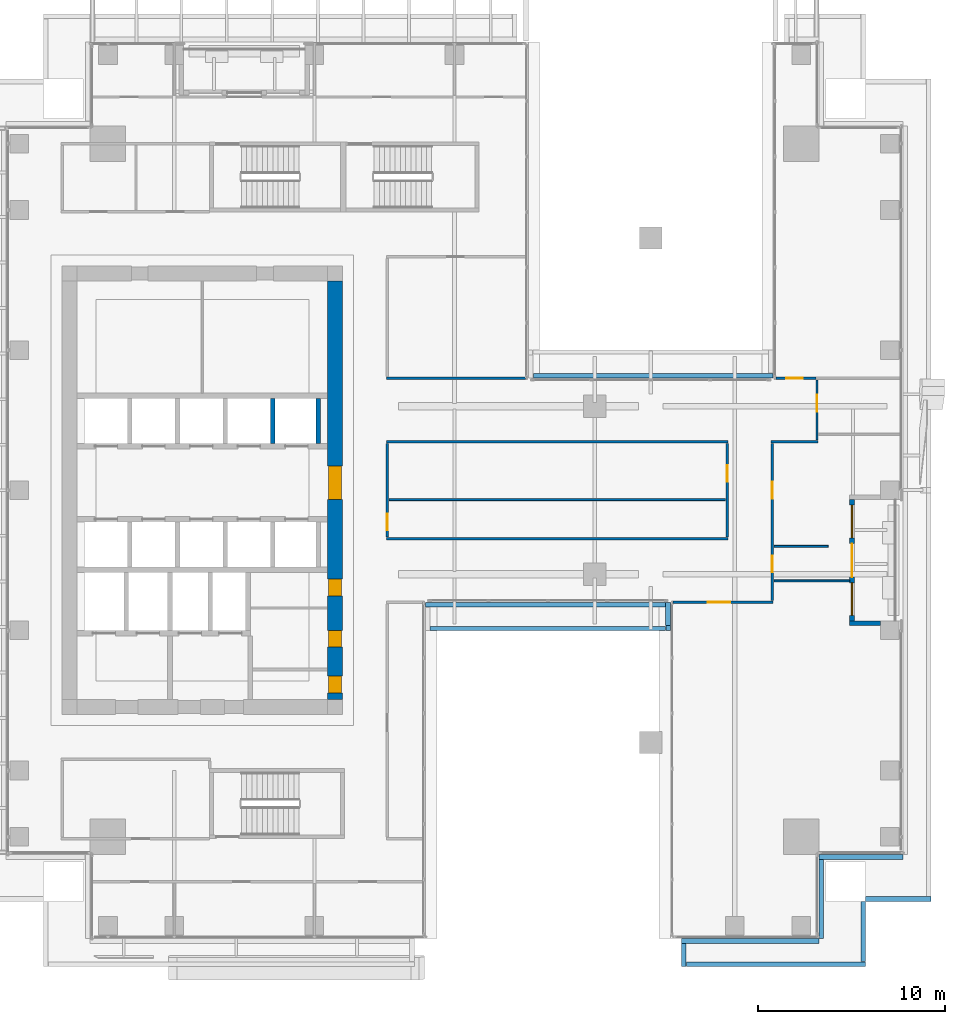
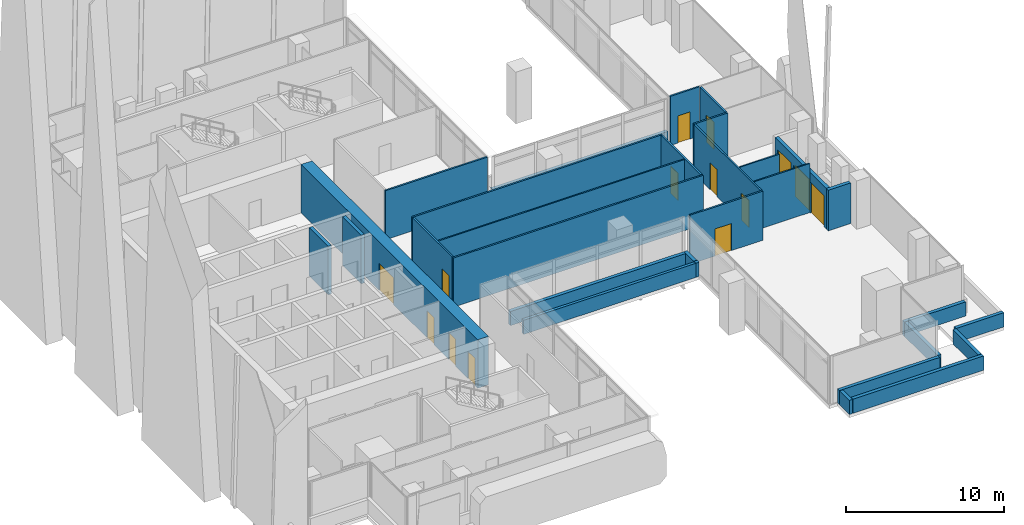
# One storey, part 35 of 43: 30 walls, 12 doors, 2 windows, 14 openings.
"""IFC4 building model written with IfcOpenShell, lengths in metres."""

from ifc_helpers import new_model, si_unit, direction, frame, frame_2d, origin, place, context, subcontext, project, spatial, rectangle, extrude, source, transform, mapped, material, layer, layer_set, type_object, element, fill, save


model = new_model("IFC4")

# Units and contexts
model_context = context("Model", 3, precision=1e-05, world=origin(), true_north=direction((0.0, 1.0)))
body_context = subcontext(model_context, "Body", "Model", "MODEL_VIEW")
ifc_project = project(units=[si_unit("LENGTHUNIT", "METRE"), si_unit("AREAUNIT", "SQUARE_METRE"), si_unit("VOLUMEUNIT", "CUBIC_METRE"), si_unit("PLANEANGLEUNIT", "RADIAN"), si_unit("MASSUNIT", "GRAM", prefix="KILO")], contexts=[model_context])

# Site, building, storey
site_placement = place(None, origin())
site = spatial("IfcSite", under=ifc_project, at=site_placement, CompositionType="ELEMENT")
building_placement = place(site_placement, origin())
building = spatial("IfcBuilding", under=site, at=building_placement, Name="Khomas Fold Tower", CompositionType="ELEMENT")
storey_placement = place(building_placement, frame((0.0, 0.0, 164.699951171875)))
storey = spatial("IfcBuildingStorey", under=building, at=storey_placement, Name="L35", CompositionType="ELEMENT", Elevation=164.699951171875)

# Wall, openings, doors
ifc_material_1 = material(Name="Concrete C60/75", Category="concrete")
ifc_layer_1 = layer(ifc_material_1, 0.800048828125)
ifc_layer_set_1 = layer_set([ifc_layer_1], Name="Concrete C60/75")
wall_type_1 = type_object("IfcWallType", Name="Core wall 800", PredefinedType="SHEAR", material=ifc_layer_set_1)
shared_shape_1 = source(origin(), body_context, "Body", "SweptSolid", [
    extrude(rectangle(XDim=22.39990234375, YDim=0.800048828125, at=frame_2d((11.199951171875, 0.0))), origin(), (0.0, 0.0, 1.0), 3.75),
])
wall_1_placement = place(storey_placement, frame((20.60009765625, 15.800048828125, 0.0), z_axis=(0.0, 0.0, 1.0), x_axis=(0.0, 1.0, 0.0)))
wall_1 = element("IfcWall", 1, at=wall_1_placement, inside=storey, type_object=wall_type_1, Name="Core wall CW-U-E-L35", PredefinedType="SHEAR", context=body_context, shape_type="MappedRepresentation", body=[
    mapped(shared_shape_1, transform((0.0, 0.0, 0.0))),
])
shared_shape_2 = source(origin(), body_context, "Body", "SweptSolid", [
    extrude(rectangle(XDim=1.800048828125, YDim=2.10009765625, at=frame_2d((0.89990234375, 1.050048828125))), frame((0.0, 0.409912109375, 0.0), z_axis=(0.0, -1.0, 0.0), x_axis=(1.0, 0.0, 0.0)), (0.0, 0.0, 1.0), 0.820068359375),
])
opening_1_placement = place(wall_1_placement, frame((10.699951171875, 0.0, 0.0)))
opening_1 = element("IfcOpeningElement", 2, at=opening_1_placement, cuts=wall_1, Name="Opening 0015", PredefinedType="OPENING", context=body_context, shape_type="MappedRepresentation", body=[
    mapped(shared_shape_2, transform((0.0, 0.0, 0.0))),
])
shared_shape_3 = source(origin(), body_context, "Body", "SweptSolid", [
    extrude(rectangle(XDim=0.89990234375, YDim=2.10009765625, at=frame_2d((0.449951171875, 1.050048828125))), frame((0.0, 0.409912109375, 0.0), z_axis=(0.0, -1.0, 0.0), x_axis=(1.0, 0.0, 0.0)), (0.0, 0.0, 1.0), 0.820068359375),
])
opening_2_placement = place(wall_1_placement, frame((0.35009765625, 0.0, 0.0)))
opening_2 = element("IfcOpeningElement", 3, at=opening_2_placement, cuts=wall_1, Name="Opening 0003", PredefinedType="OPENING", context=body_context, shape_type="MappedRepresentation", body=[
    mapped(shared_shape_3, transform((0.0, 0.0, 0.0))),
])
opening_3_placement = place(wall_1_placement, frame((2.800048828125, 0.0, 0.0)))
opening_3 = element("IfcOpeningElement", 4, at=opening_3_placement, cuts=wall_1, Name="Opening 0008", PredefinedType="OPENING", context=body_context, shape_type="MappedRepresentation", body=[
    mapped(shared_shape_3, transform((0.0, 0.0, 0.0))),
])
opening_4_placement = place(wall_1_placement, frame((5.550048828125, 0.0, 0.0)))
opening_4 = element("IfcOpeningElement", 5, at=opening_4_placement, cuts=wall_1, Name="Opening 0008", PredefinedType="OPENING", context=body_context, shape_type="MappedRepresentation", body=[
    mapped(shared_shape_3, transform((0.0, 0.0, 0.0))),
])
ifc_material_2 = material(Name="Steel door leaf", Category="steel")
door_type_1 = type_object("IfcDoorType", Name="Lobby door 1800x2100", OperationType="DOUBLE_DOOR_SINGLE_SWING", PredefinedType="DOOR", material=ifc_material_2)
shared_shape_4 = source(origin(), body_context, "Body", "SweptSolid", [
    extrude(rectangle(XDim=1.800048828125, YDim=2.10009765625, at=frame_2d((0.89990234375, 1.050048828125))), frame((0.0, 0.35009765625, 0.0), z_axis=(0.0, -1.0, 0.0), x_axis=(1.0, 0.0, 0.0)), (0.0, 0.0, 1.0), 0.699951171875),
])
door_1_placement = place(opening_1_placement, origin())
door_1 = element("IfcDoor", 6, at=door_1_placement, inside=storey, type_object=door_type_1, Name="Lobby door", OperationType="DOUBLE_DOOR_SINGLE_SWING", OverallHeight=2.10009765625, OverallWidth=1.800048828125, PredefinedType="DOOR", context=body_context, shape_type="MappedRepresentation", body=[
    mapped(shared_shape_4, transform((0.0, 0.0, 0.0))),
])
fill(opening_1, door_1)
ifc_material_3 = material(Name="Steel door leaf", Category="steel")
door_type_2 = type_object("IfcDoorType", Name="Plant room door 900x2100 right-hand", OperationType="SINGLE_SWING_RIGHT", PredefinedType="DOOR", material=ifc_material_3)
shared_shape_5 = source(origin(), body_context, "Body", "SweptSolid", [
    extrude(rectangle(XDim=0.89990234375, YDim=2.10009765625, at=frame_2d((0.449951171875, 1.050048828125))), frame((0.0, 0.35009765625, 0.0), z_axis=(0.0, -1.0, 0.0), x_axis=(1.0, 0.0, 0.0)), (0.0, 0.0, 1.0), 0.699951171875),
])
door_2_placement = place(opening_2_placement, origin())
door_2 = element("IfcDoor", 7, at=door_2_placement, inside=storey, type_object=door_type_2, Name="Plant room door", OperationType="SINGLE_SWING_RIGHT", OverallHeight=2.10009765625, OverallWidth=0.89990234375, PredefinedType="DOOR", context=body_context, shape_type="MappedRepresentation", body=[
    mapped(shared_shape_5, transform((0.0, 0.0, 0.0))),
])
fill(opening_2, door_2)
ifc_material_4 = material(Name="Timber door leaf", Category="wood")
door_type_3 = type_object("IfcDoorType", Name="Door 900x2100 right-hand", OperationType="SINGLE_SWING_RIGHT", PredefinedType="DOOR", material=ifc_material_4)
door_3_placement = place(opening_3_placement, origin())
door_3 = element("IfcDoor", 8, at=door_3_placement, inside=storey, type_object=door_type_3, Name="Door", OperationType="SINGLE_SWING_RIGHT", OverallHeight=2.10009765625, OverallWidth=0.89990234375, PredefinedType="DOOR", context=body_context, shape_type="MappedRepresentation", body=[
    mapped(shared_shape_5, transform((0.0, 0.0, 0.0))),
])
fill(opening_3, door_3)
door_4_placement = place(opening_4_placement, origin())
door_4 = element("IfcDoor", 9, at=door_4_placement, inside=storey, type_object=door_type_3, Name="Door", OperationType="SINGLE_SWING_RIGHT", OverallHeight=2.10009765625, OverallWidth=0.89990234375, PredefinedType="DOOR", context=body_context, shape_type="MappedRepresentation", body=[
    mapped(shared_shape_5, transform((0.0, 0.0, 0.0))),
])
fill(opening_4, door_4)

# Walls
ifc_material_5 = material(Name="Concrete C50/60", Category="concrete")
ifc_layer_2 = layer(ifc_material_5, 0.25)
ifc_layer_set_2 = layer_set([ifc_layer_2], Name="Concrete C50/60")
wall_type_2 = type_object("IfcWallType", Name="Shaft wall 250", PredefinedType="STANDARD", material=ifc_layer_set_2)
shared_shape_6 = source(origin(), body_context, "Body", "SweptSolid", [
    extrude(rectangle(XDim=2.39990234375, YDim=0.25, at=frame_2d((1.199951171875, 0.0))), origin(), (0.0, 0.0, 1.0), 3.75),
])
for number, where, z_axis, x_axis, name in (
    (10, (17.27490234375, 29.5, 0.0), (0.0, 0.0, 1.0), (0.0, 1.0, 0.0), "Core wall SW-HRN-MR-P1"),
    (11, (19.699951171875, 29.5, 0.0), (0.0, 0.0, 1.0), (0.0, 1.0, 0.0), "Core wall SW-HRN-MR-PE"),
):
    element("IfcWall", number, at=place(storey_placement, frame(where, z_axis=z_axis, x_axis=x_axis)), inside=storey, type_object=wall_type_2, Name=name, PredefinedType="STANDARD", context=body_context, shape_type="MappedRepresentation", body=[
        mapped(shared_shape_6, transform((0.0, 0.0, 0.0))),
    ])

# Wall, openings, door, windows
ifc_material_6 = material(Name="Natural stone", Category="masonry")
ifc_layer_3 = layer(ifc_material_6, 0.0400390625)
ifc_material_7 = material(Name="Mineral wool insulation", Category="insulation")
ifc_layer_4 = layer(ifc_material_7, 0.10009765625)
ifc_material_8 = material(Name="Masonry", Category="masonry")
ifc_layer_5 = layer(ifc_material_8, 0.110107421875)
ifc_layer_set_3 = layer_set([ifc_layer_3, ifc_layer_4, ifc_layer_5], Name="Stone-faced insulated masonry")
wall_type_3 = type_object("IfcWallType", Name="BL-Balcony wall", PredefinedType="SOLIDWALL", material=ifc_layer_set_3)
shared_shape_7 = source(origin(), body_context, "Body", "SweptSolid", [
    extrude(rectangle(XDim=6.5, YDim=0.25, at=frame_2d((3.25, 0.0))), origin(), (0.0, 0.0, 1.0), 3.150146484375),
])
wall_2_placement = place(storey_placement, frame((48.27490234375, 20.0, 0.0), z_axis=(0.0, 0.0, 1.0), x_axis=(0.0, 1.0, 0.0)))
wall_2 = element("IfcWall", 12, at=wall_2_placement, inside=storey, type_object=wall_type_3, Name="Balcony wall BAL-L35-E2", PredefinedType="SOLIDWALL", context=body_context, shape_type="MappedRepresentation", body=[
    mapped(shared_shape_7, transform((0.0, 0.0, 0.0))),
])
shared_shape_8 = source(origin(), body_context, "Body", "SweptSolid", [
    extrude(rectangle(XDim=1.75, YDim=2.39990234375, at=frame_2d((0.875, 1.199951171875))), frame((0.0, 0.135009765625, 0.0), z_axis=(0.0, -1.0, 0.0), x_axis=(1.0, 0.0, 0.0)), (0.0, 0.0, 1.0), 0.27001953125),
])
opening_5_placement = place(wall_2_placement, frame((0.300048828125, 0.0, 0.0)))
opening_5 = element("IfcOpeningElement", 13, at=opening_5_placement, cuts=wall_2, Name="Opening BL-W3", PredefinedType="OPENING", context=body_context, shape_type="MappedRepresentation", body=[
    mapped(shared_shape_8, transform((0.0, 0.0, 0.0))),
])
opening_6_placement = place(wall_2_placement, frame((4.449951171875, 0.0, 0.0)))
opening_6 = element("IfcOpeningElement", 14, at=opening_6_placement, cuts=wall_2, Name="Opening BL-W3", PredefinedType="OPENING", context=body_context, shape_type="MappedRepresentation", body=[
    mapped(shared_shape_8, transform((0.0, 0.0, 0.0))),
])
shared_shape_9 = source(origin(), body_context, "Body", "SweptSolid", [
    extrude(rectangle(XDim=1.800048828125, YDim=2.39990234375, at=frame_2d((0.89990234375, 1.199951171875))), frame((0.0, 0.135009765625, 0.0), z_axis=(0.0, -1.0, 0.0), x_axis=(1.0, 0.0, 0.0)), (0.0, 0.0, 1.0), 0.27001953125),
])
opening_7_placement = place(wall_2_placement, frame((2.35009765625, 0.0, 0.0)))
opening_7 = element("IfcOpeningElement", 15, at=opening_7_placement, cuts=wall_2, Name="Opening BD352", PredefinedType="OPENING", context=body_context, shape_type="MappedRepresentation", body=[
    mapped(shared_shape_9, transform((0.0, 0.0, 0.0))),
])
ifc_material_9 = material(Name="Aluminium framed double glazing", Category="aluminium")
door_type_4 = type_object("IfcDoorType", Name="BL-Glazed balcony door 1800 x 2400", OperationType="DOUBLE_DOOR_DOUBLE_SWING", PredefinedType="DOOR", material=ifc_material_9)
shared_shape_10 = source(origin(), body_context, "Body", "SweptSolid", [
    extrude(rectangle(XDim=1.800048828125, YDim=2.39990234375, at=frame_2d((0.89990234375, 1.199951171875))), frame((0.0, 0.02490234375, 0.0), z_axis=(0.0, -1.0, 0.0), x_axis=(1.0, 0.0, 0.0)), (0.0, 0.0, 1.0), 0.050048828125),
])
door_5_placement = place(opening_7_placement, origin())
door_5 = element("IfcDoor", 16, at=door_5_placement, inside=storey, type_object=door_type_4, Name="Balcony door BD352", OperationType="DOUBLE_DOOR_DOUBLE_SWING", OverallHeight=2.39990234375, OverallWidth=1.800048828125, PredefinedType="DOOR", context=body_context, shape_type="MappedRepresentation", body=[
    mapped(shared_shape_10, transform((0.0, 0.0, 0.0))),
])
fill(opening_7, door_5)
ifc_material_10 = material(Name="Aluminium framed double glazing", Category="aluminium")
window_type = type_object("IfcWindowType", Name="BL-Fixed glazing 1750 x 2400", PartitioningType="SINGLE_PANEL", PredefinedType="WINDOW", material=ifc_material_10)
shared_shape_11 = source(origin(), body_context, "Body", "SweptSolid", [
    extrude(rectangle(XDim=1.75, YDim=2.39990234375, at=frame_2d((0.875, 1.199951171875))), frame((0.0, 0.030029296875, 0.0), z_axis=(0.0, -1.0, 0.0), x_axis=(1.0, 0.0, 0.0)), (0.0, 0.0, 1.0), 0.06005859375),
])
window_1_placement = place(opening_5_placement, origin())
window_1 = element("IfcWindow", 17, at=window_1_placement, inside=storey, type_object=window_type, Name="Balcony glazing BAL-L35-E2-1", OverallHeight=2.39990234375, OverallWidth=1.75, PartitioningType="SINGLE_PANEL", PredefinedType="WINDOW", context=body_context, shape_type="MappedRepresentation", body=[
    mapped(shared_shape_11, transform((0.0, 0.0, 0.0))),
])
fill(opening_5, window_1)
window_2_placement = place(opening_6_placement, origin())
window_2 = element("IfcWindow", 18, at=window_2_placement, inside=storey, type_object=window_type, Name="Balcony glazing BAL-L35-E2-2", OverallHeight=2.39990234375, OverallWidth=1.75, PartitioningType="SINGLE_PANEL", PredefinedType="WINDOW", context=body_context, shape_type="MappedRepresentation", body=[
    mapped(shared_shape_11, transform((0.0, 0.0, 0.0))),
])
fill(opening_6, window_2)

# Walls
shared_shape_12 = source(origin(), body_context, "Body", "SweptSolid", [
    extrude(rectangle(XDim=1.650146484375, YDim=0.25, at=frame_2d((0.8251953125, 0.0))), origin(), (0.0, 0.0, 1.0), 3.150146484375),
])
wall_3_placement = place(storey_placement, frame((49.800048828125, 19.875, 0.0), z_axis=(0.0, 0.0, 1.0), x_axis=(-1.0, 0.0, 0.0)))
element("IfcWall", 19, at=wall_3_placement, inside=storey, type_object=wall_type_3, Name="Balcony return wall BAL-L35-E2-lo", PredefinedType="SOLIDWALL", context=body_context, shape_type="MappedRepresentation", body=[
    mapped(shared_shape_12, transform((0.0, 0.0, 0.0))),
])
ifc_material_11 = material(Name="Concrete C40/50", Category="concrete")
ifc_layer_6 = layer(ifc_material_11, 0.199951171875)
ifc_layer_set_4 = layer_set([ifc_layer_6], Name="Concrete C40/50")
wall_type_4 = type_object("IfcWallType", Name="Garden step parapet GN-PP", PredefinedType="PARAPET", material=ifc_layer_set_4)
shared_shape_13 = source(origin(), body_context, "Body", "SweptSolid", [
    extrude(rectangle(XDim=12.60009765625, YDim=0.199951171875, at=frame_2d((6.300048828125, 0.0))), origin(), (0.0, 0.0, 1.0), 1.10009765625),
])
wall_4_placement = place(storey_placement, frame((38.300048828125, 19.60009765625, 0.0), z_axis=(0.0, 0.0, 1.0), x_axis=(-1.0, 0.0, 0.0)))
element("IfcWall", 20, at=wall_4_placement, inside=storey, type_object=wall_type_4, Name="Garden step parapet", PredefinedType="SOLIDWALL", context=body_context, shape_type="MappedRepresentation", body=[
    mapped(shared_shape_13, transform((0.0, 0.0, 0.0))),
])
ifc_material_12 = material(Name="Concrete C40/50", Category="concrete")
ifc_layer_7 = layer(ifc_material_12, 0.25)
ifc_layer_set_5 = layer_set([ifc_layer_7], Name="Concrete C40/50")
wall_type_5 = type_object("IfcWallType", Name="Setback roof parapet 250", PredefinedType="PARAPET", material=ifc_layer_set_5)
shared_shape_14 = source(origin(), body_context, "Body", "SweptSolid", [
    extrude(rectangle(XDim=4.5, YDim=0.25, at=frame_2d((2.25, 0.0))), origin(), (0.0, 0.0, 1.0), 1.10009765625),
])
wall_5_placement = place(storey_placement, frame((51.0, 7.375, 0.0), z_axis=(0.0, 0.0, 1.0), x_axis=(-1.0, 0.0, 0.0)))
element("IfcWall", 21, at=wall_5_placement, inside=storey, type_object=wall_type_5, Name="Setback roof parapet", PredefinedType="SOLIDWALL", context=body_context, shape_type="MappedRepresentation", body=[
    mapped(shared_shape_14, transform((0.0, 0.0, 0.0))),
])
shared_shape_15 = source(origin(), body_context, "Body", "SweptSolid", [
    extrude(rectangle(XDim=4.22998046875, YDim=0.25, at=frame_2d((2.114990234375, 0.0))), origin(), (0.0, 0.0, 1.0), 1.10009765625),
])
wall_6_placement = place(storey_placement, frame((46.625, 7.22998046875, 0.0), z_axis=(0.0, 0.0, 1.0), x_axis=(0.0, -1.0, 0.0)))
element("IfcWall", 22, at=wall_6_placement, inside=storey, type_object=wall_type_5, Name="Setback roof parapet", PredefinedType="SOLIDWALL", context=body_context, shape_type="MappedRepresentation", body=[
    mapped(shared_shape_15, transform((0.0, 0.0, 0.0))),
])
shared_shape_16 = source(origin(), body_context, "Body", "SweptSolid", [
    extrude(rectangle(XDim=7.35009765625, YDim=0.25, at=frame_2d((3.675048828125, 0.0))), origin(), (0.0, 0.0, 1.0), 1.10009765625),
])
wall_7_placement = place(storey_placement, frame((46.5, 2.875, 0.0), z_axis=(0.0, 0.0, 1.0), x_axis=(-1.0, 0.0, 0.0)))
element("IfcWall", 23, at=wall_7_placement, inside=storey, type_object=wall_type_5, Name="Setback roof parapet", PredefinedType="SOLIDWALL", context=body_context, shape_type="MappedRepresentation", body=[
    mapped(shared_shape_16, transform((0.0, 0.0, 0.0))),
])
shared_shape_17 = source(origin(), body_context, "Body", "SweptSolid", [
    extrude(rectangle(XDim=1.22998046875, YDim=0.25, at=frame_2d((0.614990234375, 0.0))), origin(), (0.0, 0.0, 1.0), 1.10009765625),
])
for number, where, z_axis, x_axis, name in (
    (24, (39.27490234375, 2.72998046875, 0.0), (0.0, 0.0, 1.0), (0.0, -1.0, 0.0), "Setback roof parapet"),
    (25, (38.425048828125, 19.77001953125, 0.0), (0.0, 0.0, 1.0), (0.0, 1.0, 0.0), "Setback roof parapet"),
):
    element("IfcWall", number, at=place(storey_placement, frame(where, z_axis=z_axis, x_axis=x_axis)), inside=storey, type_object=wall_type_5, Name=name, PredefinedType="SOLIDWALL", context=body_context, shape_type="MappedRepresentation", body=[
        mapped(shared_shape_17, transform((0.0, 0.0, 0.0))),
    ])
shared_shape_18 = source(origin(), body_context, "Body", "SweptSolid", [
    extrude(rectangle(XDim=9.580078125, YDim=0.25, at=frame_2d((4.7900390625, 0.0))), origin(), (0.0, 0.0, 1.0), 1.10009765625),
])
wall_8_placement = place(storey_placement, frame((39.419921875, 1.625, 0.0), z_axis=(0.0, 0.0, 1.0), x_axis=(1.0, 0.0, 0.0)))
element("IfcWall", 26, at=wall_8_placement, inside=storey, type_object=wall_type_5, Name="Setback roof parapet", PredefinedType="SOLIDWALL", context=body_context, shape_type="MappedRepresentation", body=[
    mapped(shared_shape_18, transform((0.0, 0.0, 0.0))),
])
shared_shape_19 = source(origin(), body_context, "Body", "SweptSolid", [
    extrude(rectangle(XDim=3.22998046875, YDim=0.25, at=frame_2d((1.614990234375, 0.0))), origin(), (0.0, 0.0, 1.0), 1.10009765625),
])
wall_9_placement = place(storey_placement, frame((48.875, 1.77001953125, 0.0), z_axis=(0.0, 0.0, 1.0), x_axis=(0.0, 1.0, 0.0)))
element("IfcWall", 27, at=wall_9_placement, inside=storey, type_object=wall_type_5, Name="Setback roof parapet", PredefinedType="SOLIDWALL", context=body_context, shape_type="MappedRepresentation", body=[
    mapped(shared_shape_19, transform((0.0, 0.0, 0.0))),
])
shared_shape_20 = source(origin(), body_context, "Body", "SweptSolid", [
    extrude(rectangle(XDim=3.5, YDim=0.25, at=frame_2d((1.75, 0.0))), origin(), (0.0, 0.0, 1.0), 1.10009765625),
])
wall_10_placement = place(storey_placement, frame((49.0, 5.125, 0.0), z_axis=(0.0, 0.0, 1.0), x_axis=(1.0, 0.0, 0.0)))
element("IfcWall", 28, at=wall_10_placement, inside=storey, type_object=wall_type_5, Name="Setback roof parapet", PredefinedType="SOLIDWALL", context=body_context, shape_type="MappedRepresentation", body=[
    mapped(shared_shape_20, transform((0.0, 0.0, 0.0))),
])
shared_shape_21 = source(origin(), body_context, "Body", "SweptSolid", [
    extrude(rectangle(XDim=0.22998046875, YDim=0.25, at=frame_2d((0.114990234375, 0.0))), origin(), (0.0, 0.0, 1.0), 1.10009765625),
])
wall_11_placement = place(storey_placement, frame((38.320068359375, 19.625, 0.0), z_axis=(0.0, 0.0, 1.0), x_axis=(1.0, 0.0, 0.0)))
element("IfcWall", 29, at=wall_11_placement, inside=storey, type_object=wall_type_5, Name="Setback roof parapet", PredefinedType="SOLIDWALL", context=body_context, shape_type="MappedRepresentation", body=[
    mapped(shared_shape_21, transform((0.0, 0.0, 0.0))),
])
shared_shape_22 = source(origin(), body_context, "Body", "SweptSolid", [
    extrude(rectangle(XDim=12.830078125, YDim=0.25, at=frame_2d((6.4150390625, 0.0))), origin(), (0.0, 0.0, 1.0), 1.10009765625),
])
for number, where, z_axis, x_axis, name in (
    (30, (31.219970703125, 33.125, 0.0), (0.0, 0.0, 1.0), (1.0, 0.0, 0.0), "Setback roof parapet"),
    (31, (38.280029296875, 20.875, 0.0), (0.0, 0.0, 1.0), (-1.0, 0.0, 0.0), "Setback roof parapet"),
):
    element("IfcWall", number, at=place(storey_placement, frame(where, z_axis=z_axis, x_axis=x_axis)), inside=storey, type_object=wall_type_5, Name=name, PredefinedType="SOLIDWALL", context=body_context, shape_type="MappedRepresentation", body=[
        mapped(shared_shape_22, transform((0.0, 0.0, 0.0))),
    ])

# Wall, opening, door
ifc_material_13 = material(Name="Plasterboard partition")
ifc_layer_8 = layer(ifc_material_13, 0.125)
ifc_layer_set_6 = layer_set([ifc_layer_8], Name="Plasterboard partition")
wall_type_6 = type_object("IfcWallType", Name="Partition PW2 125", PredefinedType="PARTITIONING", material=ifc_layer_set_6)
shared_shape_23 = source(origin(), body_context, "Body", "SweptSolid", [
    extrude(rectangle(XDim=5.35009765625, YDim=0.125, at=frame_2d((2.675048828125, 0.0))), origin(), (0.0, 0.0, 1.0), 3.800048828125),
])
wall_12_placement = place(storey_placement, frame((38.699951171875, 21.0, 0.0), z_axis=(0.0, 0.0, 1.0), x_axis=(1.0, 0.0, 0.0)))
wall_12 = element("IfcWall", 32, at=wall_12_placement, inside=storey, type_object=wall_type_6, Name="Partition", PredefinedType="PARTITIONING", context=body_context, shape_type="MappedRepresentation", body=[
    mapped(shared_shape_23, transform((0.0, 0.0, 0.0))),
])
shared_shape_24 = source(origin(), body_context, "Body", "SweptSolid", [
    extrude(rectangle(XDim=1.199951171875, YDim=2.10009765625, at=frame_2d((0.60009765625, 1.050048828125))), frame((0.0, 0.072509765625, 0.0), z_axis=(0.0, -1.0, 0.0), x_axis=(1.0, 0.0, 0.0)), (0.0, 0.0, 1.0), 0.14501953125),
])
opening_8_placement = place(wall_12_placement, frame((1.85009765625, 0.0, 0.0)))
opening_8 = element("IfcOpeningElement", 33, at=opening_8_placement, cuts=wall_12, Name="Opening 0013", PredefinedType="OPENING", context=body_context, shape_type="MappedRepresentation", body=[
    mapped(shared_shape_24, transform((0.0, 0.0, 0.0))),
])
ifc_material_14 = material(Name="Timber door leaf", Category="wood")
door_type_5 = type_object("IfcDoorType", Name="Door 1200x2100 left-hand", OperationType="SINGLE_SWING_LEFT", PredefinedType="DOOR", material=ifc_material_14)
shared_shape_25 = source(origin(), body_context, "Body", "SweptSolid", [
    extrude(rectangle(XDim=1.199951171875, YDim=2.10009765625, at=frame_2d((0.60009765625, 1.050048828125))), frame((0.0, 0.02490234375, 0.0), z_axis=(0.0, -1.0, 0.0), x_axis=(1.0, 0.0, 0.0)), (0.0, 0.0, 1.0), 0.050048828125),
])
door_6_placement = place(opening_8_placement, origin())
door_6 = element("IfcDoor", 34, at=door_6_placement, inside=storey, type_object=door_type_5, Name="Door", OperationType="SINGLE_SWING_LEFT", OverallHeight=2.10009765625, OverallWidth=1.199951171875, PredefinedType="DOOR", context=body_context, shape_type="MappedRepresentation", body=[
    mapped(shared_shape_25, transform((0.0, 0.0, 0.0))),
])
fill(opening_8, door_6)

# Wall, openings, doors
shared_shape_26 = source(origin(), body_context, "Body", "SweptSolid", [
    extrude(rectangle(XDim=8.39990234375, YDim=0.125, at=frame_2d((4.199951171875, 0.0))), origin(), (0.0, 0.0, 1.0), 3.800048828125),
])
wall_13_placement = place(storey_placement, frame((44.0, 21.10009765625, 0.0), z_axis=(0.0, 0.0, 1.0), x_axis=(0.0, 1.0, 0.0)))
wall_13 = element("IfcWall", 35, at=wall_13_placement, inside=storey, type_object=wall_type_6, Name="Partition", PredefinedType="PARTITIONING", context=body_context, shape_type="MappedRepresentation", body=[
    mapped(shared_shape_26, transform((0.0, 0.0, 0.0))),
])
shared_shape_27 = source(origin(), body_context, "Body", "SweptSolid", [
    extrude(rectangle(XDim=0.89990234375, YDim=2.10009765625, at=frame_2d((0.449951171875, 1.050048828125))), frame((0.0, 0.072509765625, 0.0), z_axis=(0.0, -1.0, 0.0), x_axis=(1.0, 0.0, 0.0)), (0.0, 0.0, 1.0), 0.14501953125),
])
opening_9_placement = place(wall_13_placement, frame((1.5, 0.0, 0.0)))
opening_9 = element("IfcOpeningElement", 36, at=opening_9_placement, cuts=wall_13, Name="Opening 0007", PredefinedType="OPENING", context=body_context, shape_type="MappedRepresentation", body=[
    mapped(shared_shape_27, transform((0.0, 0.0, 0.0))),
])
opening_10_placement = place(wall_13_placement, frame((5.449951171875, 0.0, 0.0)))
opening_10 = element("IfcOpeningElement", 37, at=opening_10_placement, cuts=wall_13, Name="Opening 0008", PredefinedType="OPENING", context=body_context, shape_type="MappedRepresentation", body=[
    mapped(shared_shape_27, transform((0.0, 0.0, 0.0))),
])
ifc_material_15 = material(Name="Timber door leaf", Category="wood")
door_type_6 = type_object("IfcDoorType", Name="Door 900x2100 left-hand", OperationType="SINGLE_SWING_LEFT", PredefinedType="DOOR", material=ifc_material_15)
shared_shape_28 = source(origin(), body_context, "Body", "SweptSolid", [
    extrude(rectangle(XDim=0.89990234375, YDim=2.10009765625, at=frame_2d((0.449951171875, 1.050048828125))), frame((0.0, 0.02490234375, 0.0), z_axis=(0.0, -1.0, 0.0), x_axis=(1.0, 0.0, 0.0)), (0.0, 0.0, 1.0), 0.050048828125),
])
door_7_placement = place(opening_9_placement, origin())
door_7 = element("IfcDoor", 38, at=door_7_placement, inside=storey, type_object=door_type_6, Name="Door", OperationType="SINGLE_SWING_LEFT", OverallHeight=2.10009765625, OverallWidth=0.89990234375, PredefinedType="DOOR", context=body_context, shape_type="MappedRepresentation", body=[
    mapped(shared_shape_28, transform((0.0, 0.0, 0.0))),
])
fill(opening_9, door_7)
door_8_placement = place(opening_10_placement, origin())
door_8 = element("IfcDoor", 39, at=door_8_placement, inside=storey, type_object=door_type_3, Name="Door", OperationType="SINGLE_SWING_RIGHT", OverallHeight=2.10009765625, OverallWidth=0.89990234375, PredefinedType="DOOR", context=body_context, shape_type="MappedRepresentation", body=[
    mapped(shared_shape_28, transform((0.0, 0.0, 0.0))),
])
fill(opening_10, door_8)

# Walls
ifc_material_16 = material(Name="Plasterboard partition")
ifc_layer_9 = layer(ifc_material_16, 0.10009765625)
ifc_layer_set_7 = layer_set([ifc_layer_9], Name="Plasterboard partition")
wall_type_7 = type_object("IfcWallType", Name="Partition PW1 100", PredefinedType="PARTITIONING", material=ifc_layer_set_7)
shared_shape_29 = source(origin(), body_context, "Body", "SweptSolid", [
    extrude(rectangle(XDim=4.0498046875, YDim=0.10009765625, at=frame_2d((2.02490234375, 0.0))), origin(), (0.0, 0.0, 1.0), 3.800048828125),
])
wall_14_placement = place(storey_placement, frame((44.10009765625, 22.14990234375, 0.0), z_axis=(0.0, 0.0, 1.0), x_axis=(1.0, 0.0, 0.0)))
element("IfcWall", 40, at=wall_14_placement, inside=storey, type_object=wall_type_7, Name="Partition", PredefinedType="PARTITIONING", context=body_context, shape_type="MappedRepresentation", body=[
    mapped(shared_shape_29, transform((0.0, 0.0, 0.0))),
])
shared_shape_30 = source(origin(), body_context, "Body", "SweptSolid", [
    extrude(rectangle(XDim=2.89990234375, YDim=0.10009765625, at=frame_2d((1.449951171875, 0.0))), origin(), (0.0, 0.0, 1.0), 3.800048828125),
])
wall_15_placement = place(storey_placement, frame((44.10009765625, 24.0, 0.0), z_axis=(0.0, 0.0, 1.0), x_axis=(1.0, 0.0, 0.0)))
element("IfcWall", 41, at=wall_15_placement, inside=storey, type_object=wall_type_7, Name="Partition", PredefinedType="PARTITIONING", context=body_context, shape_type="MappedRepresentation", body=[
    mapped(shared_shape_30, transform((0.0, 0.0, 0.0))),
])
shared_shape_31 = source(origin(), body_context, "Body", "SweptSolid", [
    extrude(rectangle(XDim=18.2998046875, YDim=0.125, at=frame_2d((9.14990234375, 0.0))), origin(), (0.0, 0.0, 1.0), 3.800048828125),
])
for number, where, z_axis, x_axis, name in (
    (42, (23.35009765625, 24.39990234375, 0.0), (0.0, 0.0, 1.0), (1.0, 0.0, 0.0), "Partition"),
    (43, (23.35009765625, 29.60009765625, 0.0), (0.0, 0.0, 1.0), (1.0, 0.0, 0.0), "Partition"),
):
    element("IfcWall", number, at=place(storey_placement, frame(where, z_axis=z_axis, x_axis=x_axis)), inside=storey, type_object=wall_type_6, Name=name, PredefinedType="PARTITIONING", context=body_context, shape_type="MappedRepresentation", body=[
        mapped(shared_shape_31, transform((0.0, 0.0, 0.0))),
    ])

# Wall, opening, door
shared_shape_32 = source(origin(), body_context, "Body", "SweptSolid", [
    extrude(rectangle(XDim=5.0, YDim=0.125, at=frame_2d((2.5, 0.0))), origin(), (0.0, 0.0, 1.0), 3.800048828125),
])
wall_16_placement = place(storey_placement, frame((23.39990234375, 24.5, 0.0), z_axis=(0.0, 0.0, 1.0), x_axis=(0.0, 1.0, 0.0)))
wall_16 = element("IfcWall", 44, at=wall_16_placement, inside=storey, type_object=wall_type_6, Name="Partition", PredefinedType="PARTITIONING", context=body_context, shape_type="MappedRepresentation", body=[
    mapped(shared_shape_32, transform((0.0, 0.0, 0.0))),
])
opening_11_placement = place(wall_16_placement, frame((0.35009765625, 0.0, 0.0)))
opening_11 = element("IfcOpeningElement", 45, at=opening_11_placement, cuts=wall_16, Name="Opening 0007", PredefinedType="OPENING", context=body_context, shape_type="MappedRepresentation", body=[
    mapped(shared_shape_27, transform((0.0, 0.0, 0.0))),
])
door_9_placement = place(opening_11_placement, origin())
door_9 = element("IfcDoor", 46, at=door_9_placement, inside=storey, type_object=door_type_6, Name="Door", OperationType="SINGLE_SWING_LEFT", OverallHeight=2.10009765625, OverallWidth=0.89990234375, PredefinedType="DOOR", context=body_context, shape_type="MappedRepresentation", body=[
    mapped(shared_shape_28, transform((0.0, 0.0, 0.0))),
])
fill(opening_11, door_9)

wall_17_placement = place(storey_placement, frame((41.60009765625, 24.5, 0.0), z_axis=(0.0, 0.0, 1.0), x_axis=(0.0, 1.0, 0.0)))
wall_17 = element("IfcWall", 47, at=wall_17_placement, inside=storey, type_object=wall_type_6, Name="Partition", PredefinedType="PARTITIONING", context=body_context, shape_type="MappedRepresentation", body=[
    mapped(shared_shape_32, transform((0.0, 0.0, 0.0))),
])
opening_12_placement = place(wall_17_placement, frame((2.949951171875, 0.0, 0.0)))
opening_12 = element("IfcOpeningElement", 48, at=opening_12_placement, cuts=wall_17, Name="Opening 0008", PredefinedType="OPENING", context=body_context, shape_type="MappedRepresentation", body=[
    mapped(shared_shape_27, transform((0.0, 0.0, 0.0))),
])
door_10_placement = place(opening_12_placement, origin())
door_10 = element("IfcDoor", 49, at=door_10_placement, inside=storey, type_object=door_type_3, Name="Door", OperationType="SINGLE_SWING_RIGHT", OverallHeight=2.10009765625, OverallWidth=0.89990234375, PredefinedType="DOOR", context=body_context, shape_type="MappedRepresentation", body=[
    mapped(shared_shape_28, transform((0.0, 0.0, 0.0))),
])
fill(opening_12, door_10)

# Walls
shared_shape_33 = source(origin(), body_context, "Body", "SweptSolid", [
    extrude(rectangle(XDim=18.0, YDim=0.10009765625, at=frame_2d((9.0, 0.0))), origin(), (0.0, 0.0, 1.0), 3.800048828125),
])
wall_18_placement = place(storey_placement, frame((23.5, 26.5, 0.0), z_axis=(0.0, 0.0, 1.0), x_axis=(1.0, 0.0, 0.0)))
element("IfcWall", 50, at=wall_18_placement, inside=storey, type_object=wall_type_7, Name="Partition", PredefinedType="PARTITIONING", context=body_context, shape_type="MappedRepresentation", body=[
    mapped(shared_shape_33, transform((0.0, 0.0, 0.0))),
])
shared_shape_34 = source(origin(), body_context, "Body", "SweptSolid", [
    extrude(rectangle(XDim=2.5, YDim=0.125, at=frame_2d((1.25, 0.0))), origin(), (0.0, 0.0, 1.0), 3.800048828125),
])
wall_19_placement = place(storey_placement, frame((43.949951171875, 29.60009765625, 0.0), z_axis=(0.0, 0.0, 1.0), x_axis=(1.0, 0.0, 0.0)))
element("IfcWall", 51, at=wall_19_placement, inside=storey, type_object=wall_type_6, Name="Partition", PredefinedType="PARTITIONING", context=body_context, shape_type="MappedRepresentation", body=[
    mapped(shared_shape_34, transform((0.0, 0.0, 0.0))),
])

# Wall, opening, door
shared_shape_35 = source(origin(), body_context, "Body", "SweptSolid", [
    extrude(rectangle(XDim=3.199951171875, YDim=0.125, at=frame_2d((1.60009765625, 0.0))), origin(), (0.0, 0.0, 1.0), 3.800048828125),
])
wall_20_placement = place(storey_placement, frame((46.39990234375, 29.699951171875, 0.0), z_axis=(0.0, 0.0, 1.0), x_axis=(0.0, 1.0, 0.0)))
wall_20 = element("IfcWall", 52, at=wall_20_placement, inside=storey, type_object=wall_type_6, Name="Partition", PredefinedType="PARTITIONING", context=body_context, shape_type="MappedRepresentation", body=[
    mapped(shared_shape_35, transform((0.0, 0.0, 0.0))),
])
opening_13_placement = place(wall_20_placement, frame((1.5, 0.0, 0.0)))
opening_13 = element("IfcOpeningElement", 53, at=opening_13_placement, cuts=wall_20, Name="Opening 0008", PredefinedType="OPENING", context=body_context, shape_type="MappedRepresentation", body=[
    mapped(shared_shape_27, transform((0.0, 0.0, 0.0))),
])
door_11_placement = place(opening_13_placement, origin())
door_11 = element("IfcDoor", 54, at=door_11_placement, inside=storey, type_object=door_type_3, Name="Door", OperationType="SINGLE_SWING_RIGHT", OverallHeight=2.10009765625, OverallWidth=0.89990234375, PredefinedType="DOOR", context=body_context, shape_type="MappedRepresentation", body=[
    mapped(shared_shape_28, transform((0.0, 0.0, 0.0))),
])
fill(opening_13, door_11)

# Wall
shared_shape_36 = source(origin(), body_context, "Body", "SweptSolid", [
    extrude(rectangle(XDim=7.449951171875, YDim=0.125, at=frame_2d((3.72509765625, 0.0))), origin(), (0.0, 0.0, 1.0), 3.800048828125),
])
wall_21_placement = place(storey_placement, frame((23.35009765625, 33.0, 0.0), z_axis=(0.0, 0.0, 1.0), x_axis=(1.0, 0.0, 0.0)))
element("IfcWall", 55, at=wall_21_placement, inside=storey, type_object=wall_type_6, Name="Partition", PredefinedType="PARTITIONING", context=body_context, shape_type="MappedRepresentation", body=[
    mapped(shared_shape_36, transform((0.0, 0.0, 0.0))),
])

# Wall, opening, door
shared_shape_37 = source(origin(), body_context, "Body", "SweptSolid", [
    extrude(rectangle(XDim=2.150146484375, YDim=0.125, at=frame_2d((1.0751953125, 0.0))), origin(), (0.0, 0.0, 1.0), 3.800048828125),
])
wall_22_placement = place(storey_placement, frame((44.199951171875, 33.0, 0.0), z_axis=(0.0, 0.0, 1.0), x_axis=(1.0, 0.0, 0.0)))
wall_22 = element("IfcWall", 56, at=wall_22_placement, inside=storey, type_object=wall_type_6, Name="Partition", PredefinedType="PARTITIONING", context=body_context, shape_type="MappedRepresentation", body=[
    mapped(shared_shape_37, transform((0.0, 0.0, 0.0))),
])
opening_14_placement = place(wall_22_placement, frame((0.550048828125, 0.0, 0.0)))
opening_14 = element("IfcOpeningElement", 57, at=opening_14_placement, cuts=wall_22, Name="Opening 0008", PredefinedType="OPENING", context=body_context, shape_type="MappedRepresentation", body=[
    mapped(shared_shape_27, transform((0.0, 0.0, 0.0))),
])
door_12_placement = place(opening_14_placement, origin())
door_12 = element("IfcDoor", 58, at=door_12_placement, inside=storey, type_object=door_type_3, Name="Door", OperationType="SINGLE_SWING_RIGHT", OverallHeight=2.10009765625, OverallWidth=0.89990234375, PredefinedType="DOOR", context=body_context, shape_type="MappedRepresentation", body=[
    mapped(shared_shape_28, transform((0.0, 0.0, 0.0))),
])
fill(opening_14, door_12)

save(model, "model.ifc")
